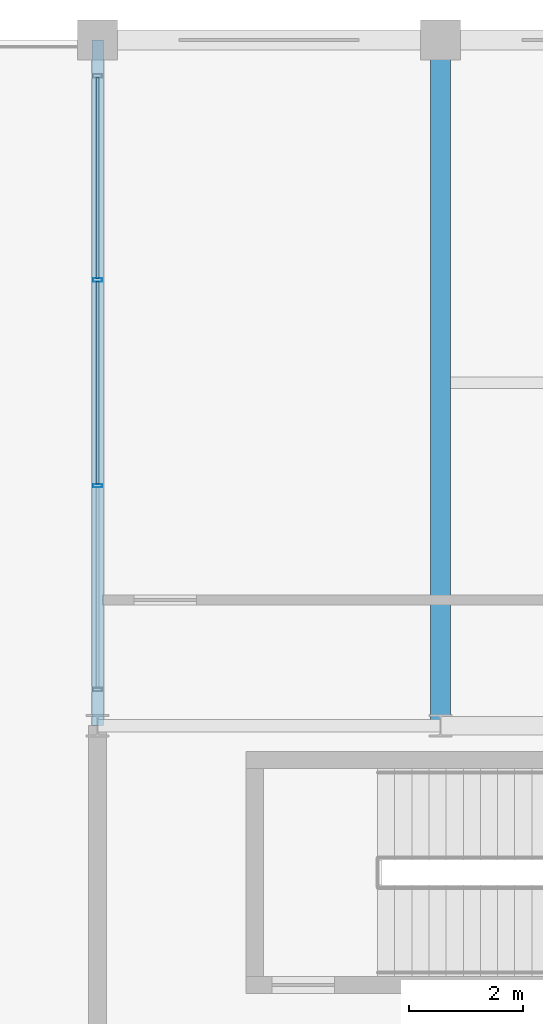
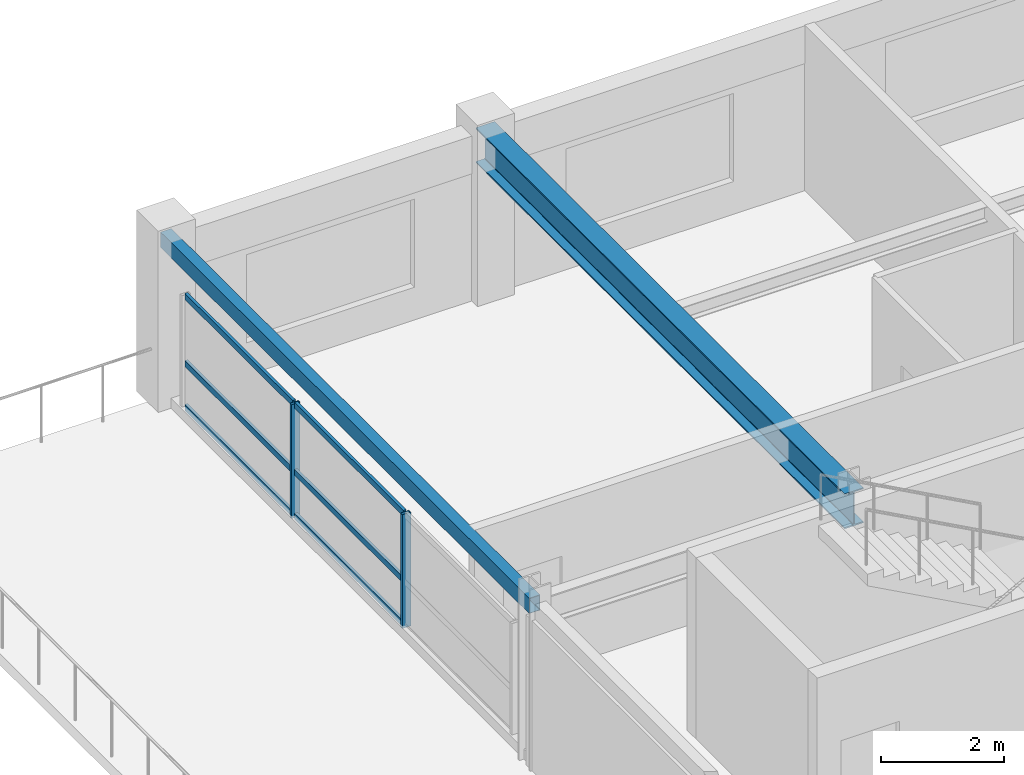
# One storey, part 8 of 24: 8 members, 2 beams, 1 element without a shape of its own.
"""IFC4 building model written with IfcOpenShell, lengths in metres."""

from ifc_helpers import new_model, si_unit, direction, frame, origin, origin_2d, place, context, subcontext, project, spatial, hollow_rectangle, i_section, extrude, material, material_profile, profile_set, type_object, element, aggregate, save


model = new_model("IFC4")

# Units and contexts
model_context = context("Model", 3, precision=1e-05, world=origin(), true_north=direction((0.0, 1.0)))
body_context = subcontext(model_context, "Body", "Model", "MODEL_VIEW")
ifc_project = project(units=[si_unit("LENGTHUNIT", "METRE"), si_unit("AREAUNIT", "SQUARE_METRE"), si_unit("VOLUMEUNIT", "CUBIC_METRE"), si_unit("PLANEANGLEUNIT", "RADIAN"), si_unit("MASSUNIT", "GRAM", prefix="KILO")], contexts=[model_context])

# Site, building, storey
site_placement = place(None, origin())
site = spatial("IfcSite", under=ifc_project, at=site_placement, CompositionType="ELEMENT")
building_placement = place(site_placement, origin())
building = spatial("IfcBuilding", under=site, at=building_placement, Name="Kaldorvane Square Convention Centre", CompositionType="ELEMENT")
storey_placement = place(building_placement, frame((0.0, 0.0, 60.0)))
storey = spatial("IfcBuildingStorey", under=building, at=storey_placement, Name="L14", CompositionType="ELEMENT", Elevation=60.0)

# Beams
ifc_material_1 = material(Name="Steel ASTM A992 Gr. 50", Category="steel")
ifc_material_profile_1 = material_profile(ifc_material_1, i_section(OverallWidth=0.354705810546875, OverallDepth=0.69549560546875, WebThickness=0.0153961181640625, FlangeThickness=0.0251007080078125, FilletRadius=0.01519775390625, at=origin_2d()), Name="W27X146")
ifc_profile_set_1 = profile_set([ifc_material_profile_1], Name="Steel ASTM A992 Gr. 50")
beam_type_1 = type_object("IfcBeamType", Name="BM-GR-W27X146", PredefinedType="BEAM", material=ifc_profile_set_1)
beam_1_placement = place(storey_placement, frame((42.0, 105.0, 2.93829345703125), z_axis=(0.0, 1.0, 0.0), x_axis=(-1.0, 0.0, 0.0)))
element("IfcBeam", 1, at=beam_1_placement, inside=storey, type_object=beam_type_1, Name="Transverse Girder (L14)", PredefinedType="BEAM", context=body_context, shape_type="SweptSolid", body=[
    extrude(i_section(OverallWidth=0.354705810546875, OverallDepth=0.69549560546875, WebThickness=0.0153961181640625, FlangeThickness=0.0251007080078125, FilletRadius=0.01519775390625, at=origin_2d()), origin(), (0.0, 0.0, 1.0), 12.0),
])
ifc_material_2 = material(Name="Steel ASTM A500 Gr. C", Category="steel")
ifc_material_profile_2 = material_profile(ifc_material_2, hollow_rectangle(XDim=0.2032012939453125, YDim=0.3047943115234375, WallThickness=0.0088958740234375, at=origin_2d()), Name="HSS12X8X3/8")
ifc_profile_set_2 = profile_set([ifc_material_profile_2], Name="Steel ASTM A500 Gr. C")
beam_type_2 = type_object("IfcBeamType", Name="BM-SP-HSS12", PredefinedType="SPANDREL", material=ifc_profile_set_2)
beam_2_placement = place(storey_placement, frame((36.0, 105.0, 3.13360595703125), z_axis=(0.0, 1.0, 0.0), x_axis=(-1.0, 0.0, 0.0)))
element("IfcBeam", 2, at=beam_2_placement, inside=storey, type_object=beam_type_2, Name="End Spandrel (L14)", PredefinedType="SPANDREL", context=body_context, shape_type="SweptSolid", body=[
    extrude(hollow_rectangle(XDim=0.2032012939453125, YDim=0.3047943115234375, WallThickness=0.0088958740234375, at=origin_2d()), origin(), (0.0, 0.0, 1.0), 12.0),
])

# Curtain wall, members
ifc_material_3 = material(Name="Anodized Aluminum and Low-E Insulated Glazing", Category="aluminium")
curtain_wall_type = type_object("IfcCurtainWallType", Name="CW-UNI-HTL-B", PredefinedType="USERDEFINED", material=ifc_material_3)
curtain_wall_placement = place(storey_placement, origin())
curtain_wall = element("IfcCurtainWall", 3, at=curtain_wall_placement, inside=storey, type_object=curtain_wall_type, Name="Curtain Wall CW-11 (L14)", ObjectType="UNITISED GLAZING", PredefinedType="USERDEFINED")
ifc_material_profile_3 = material_profile(ifc_material_3, hollow_rectangle(XDim=0.05999755859375, YDim=0.160003662109375, WallThickness=0.003204345703125, at=origin_2d()), Name="CWM-160X60")
ifc_profile_set_3 = profile_set([ifc_material_profile_3], Name="Anodized Aluminum and Low-E Insulated Glazing")
member_type_1 = type_object("IfcMemberType", Name="CW-MUL-160", PredefinedType="MULLION", material=ifc_profile_set_3)
member_1_placement = place(storey_placement, frame((36.0, 112.80000305175781, 0.149993896484375), z_axis=(0.0, 0.0, 1.0), x_axis=(0.0, -1.0, 0.0)))
member_1 = element("IfcMember", 4, at=member_1_placement, type_object=member_type_1, Name="CW-11 mullion 2", PredefinedType="MULLION", context=body_context, shape_type="SweptSolid", body=[
    extrude(hollow_rectangle(XDim=0.05999755859375, YDim=0.160003662109375, WallThickness=0.003204345703125, at=origin_2d()), origin(), (0.0, 0.0, 1.0), 2.260009765625),
])
member_2_placement = place(storey_placement, frame((36.0, 109.19999694824219, 0.149993896484375), z_axis=(0.0, 0.0, 1.0), x_axis=(0.0, -1.0, 0.0)))
member_2 = element("IfcMember", 5, at=member_2_placement, type_object=member_type_1, Name="CW-11 mullion 3", PredefinedType="MULLION", context=body_context, shape_type="SweptSolid", body=[
    extrude(hollow_rectangle(XDim=0.05999755859375, YDim=0.160003662109375, WallThickness=0.003204345703125, at=origin_2d()), origin(), (0.0, 0.0, 1.0), 2.260009765625),
])
ifc_material_profile_4 = material_profile(ifc_material_3, hollow_rectangle(XDim=0.05499267578125, YDim=0.1199951171875, WallThickness=0.0030059814453125, at=origin_2d()), Name="CWT-120X55")
ifc_profile_set_4 = profile_set([ifc_material_profile_4], Name="Anodized Aluminum and Low-E Insulated Glazing")
member_type_2 = type_object("IfcMemberType", Name="CW-TRN-120", PredefinedType="USERDEFINED", material=ifc_profile_set_4)
member_3_placement = place(storey_placement, frame((36.0, 116.33999633789062, 0.1775054931640625), z_axis=(0.0, -1.0, 0.0), x_axis=(1.0, 0.0, 0.0)))
member_3 = element("IfcMember", 6, at=member_3_placement, type_object=member_type_2, Name="CW-11 transom 1.1", ObjectType="TRANSOM", PredefinedType="USERDEFINED", context=body_context, shape_type="SweptSolid", body=[
    extrude(hollow_rectangle(XDim=0.05499267578125, YDim=0.1199951171875, WallThickness=0.0030059814453125, at=origin_2d()), origin(), (0.0, 0.0, 1.0), 3.5099945068359375),
])
member_4_placement = place(storey_placement, frame((36.0, 116.33999633789062, 1.0500030517578125), z_axis=(0.0, -1.0, 0.0), x_axis=(1.0, 0.0, 0.0)))
member_4 = element("IfcMember", 7, at=member_4_placement, type_object=member_type_2, Name="CW-11 transom 1.2", ObjectType="TRANSOM", PredefinedType="USERDEFINED", context=body_context, shape_type="SweptSolid", body=[
    extrude(hollow_rectangle(XDim=0.05499267578125, YDim=0.1199951171875, WallThickness=0.0030059814453125, at=origin_2d()), origin(), (0.0, 0.0, 1.0), 3.5099945068359375),
])
member_5_placement = place(storey_placement, frame((36.0, 116.33999633789062, 2.38250732421875), z_axis=(0.0, -1.0, 0.0), x_axis=(1.0, 0.0, 0.0)))
member_5 = element("IfcMember", 8, at=member_5_placement, type_object=member_type_2, Name="CW-11 transom 1.3", ObjectType="TRANSOM", PredefinedType="USERDEFINED", context=body_context, shape_type="SweptSolid", body=[
    extrude(hollow_rectangle(XDim=0.05499267578125, YDim=0.1199951171875, WallThickness=0.0030059814453125, at=origin_2d()), origin(), (0.0, 0.0, 1.0), 3.5099945068359375),
])
member_6_placement = place(storey_placement, frame((36.0, 112.77000427246094, 0.1775054931640625), z_axis=(0.0, -1.0, 0.0), x_axis=(1.0, 0.0, 0.0)))
member_6 = element("IfcMember", 9, at=member_6_placement, type_object=member_type_2, Name="CW-11 transom 2.1", ObjectType="TRANSOM", PredefinedType="USERDEFINED", context=body_context, shape_type="SweptSolid", body=[
    extrude(hollow_rectangle(XDim=0.05499267578125, YDim=0.1199951171875, WallThickness=0.0030059814453125, at=origin_2d()), origin(), (0.0, 0.0, 1.0), 3.540008544921875),
])
member_7_placement = place(storey_placement, frame((36.0, 112.77000427246094, 1.0500030517578125), z_axis=(0.0, -1.0, 0.0), x_axis=(1.0, 0.0, 0.0)))
member_7 = element("IfcMember", 10, at=member_7_placement, type_object=member_type_2, Name="CW-11 transom 2.2", ObjectType="TRANSOM", PredefinedType="USERDEFINED", context=body_context, shape_type="SweptSolid", body=[
    extrude(hollow_rectangle(XDim=0.05499267578125, YDim=0.1199951171875, WallThickness=0.0030059814453125, at=origin_2d()), origin(), (0.0, 0.0, 1.0), 3.540008544921875),
])
member_8_placement = place(storey_placement, frame((36.0, 112.77000427246094, 2.38250732421875), z_axis=(0.0, -1.0, 0.0), x_axis=(1.0, 0.0, 0.0)))
member_8 = element("IfcMember", 11, at=member_8_placement, type_object=member_type_2, Name="CW-11 transom 2.3", ObjectType="TRANSOM", PredefinedType="USERDEFINED", context=body_context, shape_type="SweptSolid", body=[
    extrude(hollow_rectangle(XDim=0.05499267578125, YDim=0.1199951171875, WallThickness=0.0030059814453125, at=origin_2d()), origin(), (0.0, 0.0, 1.0), 3.540008544921875),
])
aggregate(curtain_wall, [member_1, member_2, member_3, member_4, member_5, member_6, member_7, member_8])

save(model, "model.ifc")
